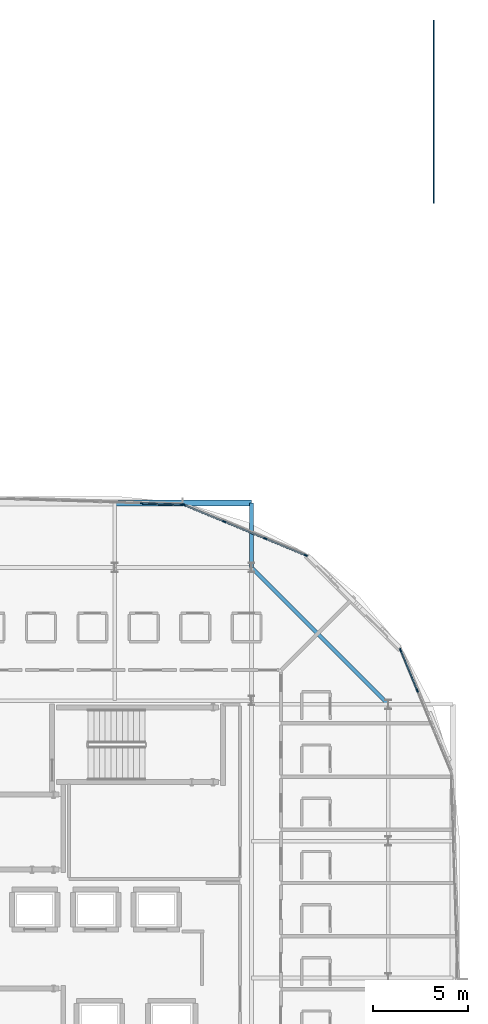
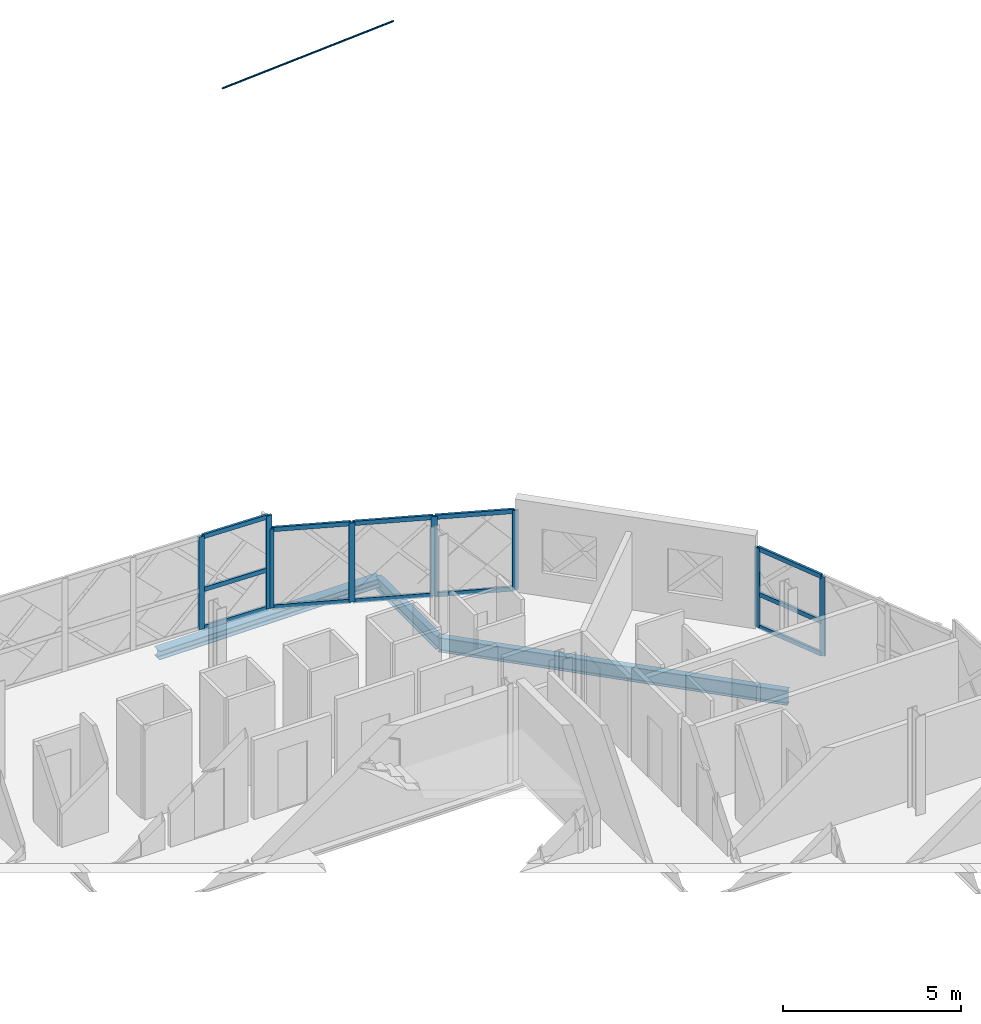
# One storey, part 13 of 26: 21 members, 3 beams, 3 elements without a shape of their own.
"""IFC4 building model written with IfcOpenShell, lengths in metres."""

import ifcopenshell
import ifcopenshell.guid

model = None  # the IFC model being written
_history = None  # IfcOwnerHistory: only IFC2X3 demands one
_inside = {}  # id of a spatial element -> (the spatial element, [elements in it])
_under = {}  # id of a project, library or spatial element -> (it, [spatial elements below it])
_declared = {}  # id of a project -> (the project, [libraries it declares])
_typed = {}  # id of a type object -> (the type object, [elements of that type])
_made_of = {}  # id of a material, layer set ... -> (it, [elements and type objects made of it])


def new_model(schema):
    """Start an empty IFC model of exactly this schema.

    Asked for "IFC4X3", IfcOpenShell would pick the latest addendum, in which some entities
    have other attributes; the version numbers below select the first issue.
    IFC2X3 requires an IfcOwnerHistory on every rooted entity: one is made here for all.
    """
    global model, _history
    if schema == "IFC4X3":
        model = ifcopenshell.file(schema_version=(4, 3, 0, 0))
    else:
        model = ifcopenshell.file(schema=schema)
    _inside.clear()
    _under.clear()
    _declared.clear()
    _typed.clear()
    _made_of.clear()
    _history = None
    if model.schema == "IFC2X3":
        org = make("IfcOrganization", Name="unknown")
        user = make(
            "IfcPersonAndOrganization",
            ThePerson=make("IfcPerson", FamilyName="unknown"),
            TheOrganization=org,
        )
        app = make(
            "IfcApplication",
            ApplicationDeveloper=org,
            Version="unknown",
            ApplicationFullName="unknown",
            ApplicationIdentifier="unknown",
        )
        _history = make(
            "IfcOwnerHistory",
            OwningUser=user,
            OwningApplication=app,
            ChangeAction="ADDED",
            CreationDate=0,
        )
    return model


def make(cls, **values):
    """One entity of the class cls with the attributes given. An attribute that is None is left unset."""
    return model.create_entity(
        cls, **{name: value for name, value in values.items() if value is not None}
    )


def rooted(cls, **values):
    """An entity with a GlobalId (a new one), such as an element, a storey or a relation."""
    return make(cls, GlobalId=ifcopenshell.guid.new(), OwnerHistory=_history, **values)


def si_unit(unit_type, name, prefix=None):
    """IfcSIUnit, for example si_unit("LENGTHUNIT", "METRE", prefix="MILLI")."""
    return make("IfcSIUnit", UnitType=unit_type, Prefix=prefix, Name=name)


def assignment(units):
    """IfcUnitAssignment: the units of a project."""
    return None if units is None else make("IfcUnitAssignment", Units=units)


def point(xyz):
    """IfcCartesianPoint."""
    return None if xyz is None else make("IfcCartesianPoint", Coordinates=xyz)


def direction(xyz):
    """IfcDirection."""
    return None if xyz is None else make("IfcDirection", DirectionRatios=xyz)


def frame(location, z_axis=None, x_axis=None):
    """IfcAxis2Placement3D, a coordinate frame: its origin and axes. An axis left out is left unset."""
    return make(
        "IfcAxis2Placement3D",
        Location=point(location),
        Axis=direction(z_axis),
        RefDirection=direction(x_axis),
    )


def frame_2d(location, x_axis=None):
    """IfcAxis2Placement2D, a coordinate frame in the plane: its origin and x axis."""
    return make(
        "IfcAxis2Placement2D", Location=point(location), RefDirection=direction(x_axis)
    )


def origin():
    """The frame at (0, 0, 0) with its axes left unset."""
    return frame((0.0, 0.0, 0.0))


def origin_2d():
    """The frame at (0, 0) in the plane with its x axis left unset."""
    return frame_2d((0.0, 0.0))


def place(relative_to, where):
    """IfcLocalPlacement: puts the frame where relative to a parent placement (None: the world)."""
    return make(
        "IfcLocalPlacement", PlacementRelTo=relative_to, RelativePlacement=where
    )


def context(
    kind, dimensions, precision=None, world=None, true_north=None, identifier=None
):
    """IfcGeometricRepresentationContext, for example the 3D "Model" context."""
    return make(
        "IfcGeometricRepresentationContext",
        ContextIdentifier=identifier,
        ContextType=kind,
        CoordinateSpaceDimension=dimensions,
        Precision=precision,
        WorldCoordinateSystem=world,
        TrueNorth=true_north,
    )


def subcontext(parent, identifier, kind, view, scale=None):
    """IfcGeometricRepresentationSubContext, for example "Body" below "Model"."""
    return make(
        "IfcGeometricRepresentationSubContext",
        ContextIdentifier=identifier,
        ContextType=kind,
        ParentContext=parent,
        TargetScale=scale,
        TargetView=view,
    )


def project(units=None, contexts=None):
    """IfcProject with its units and contexts."""
    return rooted(
        "IfcProject",
        Name="project",
        RepresentationContexts=contexts,
        UnitsInContext=assignment(units),
    )


def spatial(cls, under=None, at=None, **own):
    """A site, building, storey or space (cls), placed at a placement, below another one or the project."""
    s = rooted(cls, ObjectPlacement=at, **own)
    if under is not None:
        _under.setdefault(under.id(), (under, []))[1].append(s)
    return s


def profile(cls, at=None, kind="AREA", **sizes):
    """A parametric profile (cls). Its sizes go by their IFC names, for example OverallWidth=200.0."""
    return make(cls, ProfileType=kind, Position=at, **sizes)


def rectangle(**sizes):
    """IfcRectangleProfileDef."""
    return profile("IfcRectangleProfileDef", **sizes)


def circle(**sizes):
    """IfcCircleProfileDef."""
    return profile("IfcCircleProfileDef", **sizes)


def i_section(**sizes):
    """IfcIShapeProfileDef."""
    return profile("IfcIShapeProfileDef", **sizes)


def extrude(swept, where, along, depth):
    """IfcExtrudedAreaSolid: the profile swept, set in the frame where, extruded along a direction by depth."""
    return make(
        "IfcExtrudedAreaSolid",
        SweptArea=swept,
        Position=where,
        ExtrudedDirection=direction(along),
        Depth=depth,
    )


def shape(context_of_items, identifier, shape_type, items):
    """IfcShapeRepresentation: the items that make up one representation, for example the "Body"."""
    return make(
        "IfcShapeRepresentation",
        ContextOfItems=context_of_items,
        RepresentationIdentifier=identifier,
        RepresentationType=shape_type,
        Items=items,
    )


def material(Name=None, Category=None):
    """IfcMaterial."""
    return make("IfcMaterial", Name=Name, Category=Category)


def layer(
    of_material, thickness, ventilated=None, Name=None, Category=None, Priority=None
):
    """IfcMaterialLayer: one layer of a wall or slab, of a material (None: an air gap)."""
    return make(
        "IfcMaterialLayer",
        Material=of_material,
        LayerThickness=thickness,
        IsVentilated=ventilated,
        Name=Name,
        Category=Category,
        Priority=Priority,
    )


def layer_set(layers, Name=None):
    """IfcMaterialLayerSet."""
    return make("IfcMaterialLayerSet", MaterialLayers=layers, LayerSetName=Name)


def material_profile(
    of_material, cross_section, Name=None, Category=None, Priority=None
):
    """IfcMaterialProfile: a cross section and its material."""
    return make(
        "IfcMaterialProfile",
        Name=Name,
        Material=of_material,
        Profile=cross_section,
        Priority=Priority,
        Category=Category,
    )


def profile_set(profiles, Name=None, composite=None):
    """IfcMaterialProfileSet."""
    return make(
        "IfcMaterialProfileSet",
        Name=Name,
        MaterialProfiles=profiles,
        CompositeProfile=composite,
    )


def made_of(thing, what):
    """Note that an element or type object is made of a material, layer set ...; save() writes the relation."""
    if what is not None:
        _made_of.setdefault(what.id(), (what, []))[1].append(thing)
    return thing


def type_object(cls, material=None, **own):
    """A type object (cls), such as IfcWallType, which elements share."""
    return made_of(rooted(cls, **own), material)


def element(
    cls,
    number,
    at=None,
    inside=None,
    cuts=None,
    type_object=None,
    material=None,
    context=None,
    identifier="Body",
    shape_type=None,
    held_by="IfcProductDefinitionShape",
    body=None,
    shapes=None,
    **own,
):
    """One element of the class cls, such as IfcWall. Its Tag is "e" and its number.

    at: its placement. inside: the storey or other place that contains it. cuts: it is an
    opening in that element (IfcRelVoidsElement). A single representation is given by context,
    identifier, shape_type and body (its items); several are given by shapes. held_by: the class
    of the entity that holds the representations. save() writes the other relations.
    """
    e = rooted(cls, Tag="e%d" % number, ObjectPlacement=at, **own)
    if body is not None:
        shapes = [shape(context, identifier, shape_type, body)]
    if shapes is not None:
        e.Representation = make(held_by, Representations=shapes)
    if inside is not None:
        _inside.setdefault(inside.id(), (inside, []))[1].append(e)
    if cuts is not None:
        rooted(
            "IfcRelVoidsElement", RelatingBuildingElement=cuts, RelatedOpeningElement=e
        )
    if type_object is not None:
        _typed.setdefault(type_object.id(), (type_object, []))[1].append(e)
    return made_of(e, material)


def aggregate(whole, parts):
    """IfcRelAggregates: a whole, such as a stair, and the parts it consists of."""
    return rooted("IfcRelAggregates", RelatingObject=whole, RelatedObjects=parts)


def save(model, path):
    """Write the relations noted so far, then the file.

    IfcRelAggregates (storeys below a building ...), IfcRelContainedInSpatialStructure (elements
    in a storey), IfcRelDefinesByType, IfcRelAssociatesMaterial and IfcRelDeclares: one each for
    every whole, place, type object, material and project.
    """
    for whole, parts in _under.values():
        aggregate(whole, parts)
    for where, things in _inside.values():
        rooted(
            "IfcRelContainedInSpatialStructure",
            RelatedElements=things,
            RelatingStructure=where,
        )
    for kind, things in _typed.values():
        rooted("IfcRelDefinesByType", RelatedObjects=things, RelatingType=kind)
    for what, things in _made_of.values():
        rooted("IfcRelAssociatesMaterial", RelatedObjects=things, RelatingMaterial=what)
    for by, libraries in _declared.values():
        rooted("IfcRelDeclares", RelatingContext=by, RelatedDefinitions=libraries)
    model.write(path)


model = new_model("IFC4")

# Units and contexts
model_context = context("Model", 3, precision=1e-05, world=origin(), true_north=direction((0.0, 1.0)))
body_context = subcontext(model_context, "Body", "Model", "MODEL_VIEW")
ifc_project = project(units=[si_unit("LENGTHUNIT", "METRE"), si_unit("AREAUNIT", "SQUARE_METRE"), si_unit("VOLUMEUNIT", "CUBIC_METRE"), si_unit("PLANEANGLEUNIT", "RADIAN"), si_unit("MASSUNIT", "GRAM", prefix="KILO")], contexts=[model_context])

# Site, building, storey
site_placement = place(None, origin())
site = spatial("IfcSite", under=ifc_project, at=site_placement, CompositionType="ELEMENT")
building_placement = place(site_placement, origin())
building = spatial("IfcBuilding", under=site, at=building_placement, Name="Zevrakil Square Congress Hotel", CompositionType="ELEMENT")
storey_placement = place(building_placement, frame((0.0, 0.0, 24.89990234375)))
storey = spatial("IfcBuildingStorey", under=building, at=storey_placement, Name="L07", CompositionType="ELEMENT", Elevation=24.89990234375)

# Beams
ifc_material_1 = material(Name="Steel S355", Category="steel")
ifc_material_profile_1 = material_profile(ifc_material_1, i_section(OverallWidth=0.18994140625, OverallDepth=0.449951171875, WebThickness=0.009521484375, FlangeThickness=0.0146484375, FilletRadius=0.02099609375, at=origin_2d()), Name="IPE 450")
ifc_profile_set_1 = profile_set([ifc_material_profile_1], Name="Steel S355")
beam_type_1 = type_object("IfcBeamType", Name="BM-IPE450", PredefinedType="BEAM", material=ifc_profile_set_1)
beam_1_placement = place(storey_placement, frame((156.0, 45.60009765625, -0.429931640625), z_axis=(0.0, 1.0, 0.0), x_axis=(-1.0, 0.0, 0.0)))
element("IfcBeam", 1, at=beam_1_placement, inside=storey, type_object=beam_type_1, Name="L07 drum radial edge cantilever beam DRO-09", PredefinedType="BEAM", context=body_context, shape_type="SweptSolid", body=[
    extrude(i_section(OverallWidth=0.18994140625, OverallDepth=0.449951171875, WebThickness=0.009521484375, FlangeThickness=0.0146484375, FilletRadius=0.02099609375, at=origin_2d()), origin(), (0.0, 0.0, 1.0), 3.39990234375),
])
ifc_material_2 = material(Name="Steel S355", Category="steel")
ifc_material_profile_2 = material_profile(ifc_material_2, i_section(OverallWidth=0.199951171875, OverallDepth=0.5, WebThickness=0.01025390625, FlangeThickness=0.01611328125, FilletRadius=0.02099609375, at=origin_2d()), Name="IPE 500")
ifc_profile_set_2 = profile_set([ifc_material_profile_2], Name="Steel S355")
beam_type_2 = type_object("IfcBeamType", Name="BM-IPE500", PredefinedType="BEAM", material=ifc_profile_set_2)
beam_2_placement = place(storey_placement, frame((163.199951171875, 38.39990234375, -0.454833984375), z_axis=(-0.70709479277, 0.7071187694, 0.0), x_axis=(-0.7071187694, -0.70709479277, 0.0)))
element("IfcBeam", 2, at=beam_2_placement, inside=storey, type_object=beam_type_2, Name="L07 drum ring girder DRB-08", PredefinedType="BEAM", context=body_context, shape_type="SweptSolid", body=[
    extrude(i_section(OverallWidth=0.199951171875, OverallDepth=0.5, WebThickness=0.01025390625, FlangeThickness=0.01611328125, FilletRadius=0.02099609375, at=origin_2d()), origin(), (0.0, 0.0, 1.0), 10.182373046875),
])

# Curtain wall, members
ifc_material_3 = material(Name="Aluminium Anodised Bronze", Category="aluminium")
ifc_layer_1 = layer(ifc_material_3, 0.179931640625)
ifc_layer_set_1 = layer_set([ifc_layer_1], Name="Aluminium Anodised Bronze")
curtain_wall_type_1 = type_object("IfcCurtainWallType", Name="CW-L07-720", PredefinedType="USERDEFINED", material=ifc_layer_set_1)
curtain_wall_1_placement = place(storey_placement, origin())
curtain_wall_1 = element("IfcCurtainWall", 3, at=curtain_wall_1_placement, inside=storey, type_object=curtain_wall_type_1, Name="L07 diamond curtain wall CW-L07-0224", ObjectType="GLAZED CURTAIN WALL", PredefinedType="USERDEFINED")
ifc_material_4 = material(Name="Aluminium Anodised Bronze", Category="aluminium")
ifc_material_profile_3 = material_profile(ifc_material_4, rectangle(XDim=0.074951171875, YDim=0.14990234375, at=origin_2d()), Name="ALU 75x150")
ifc_profile_set_3 = profile_set([ifc_material_profile_3], Name="Aluminium Anodised Bronze")
member_type_1 = type_object("IfcMemberType", Name="CWM-ALU75x150", PredefinedType="USERDEFINED", material=ifc_profile_set_3)
member_1_placement = place(storey_placement, frame((164.716064453125, 39.150634765625, 0.030029296875), z_axis=(-0.382668727465, 0.923885623343, 0.0), x_axis=(-0.923885623343, -0.382668727465, 0.0)))
member_1 = element("IfcMember", 4, at=member_1_placement, type_object=member_type_1, Name="CW-82 transom 3.1", ObjectType="TRANSOM", PredefinedType="USERDEFINED", context=body_context, shape_type="SweptSolid", body=[
    extrude(rectangle(XDim=0.074951171875, YDim=0.14990234375, at=origin_2d()), origin(), (0.0, 0.0, 1.0), 2.2451171875),
])
member_2_placement = place(storey_placement, frame((164.716064453125, 39.150634765625, 1.14453125), z_axis=(-0.382668727465, 0.923885623343, 0.0), x_axis=(-0.923885623343, -0.382668727465, 0.0)))
member_2 = element("IfcMember", 5, at=member_2_placement, type_object=member_type_1, Name="CW-82 transom 3.2", ObjectType="TRANSOM", PredefinedType="USERDEFINED", context=body_context, shape_type="SweptSolid", body=[
    extrude(rectangle(XDim=0.074951171875, YDim=0.14990234375, at=origin_2d()), origin(), (0.0, 0.0, 1.0), 2.2451171875),
])
member_3_placement = place(storey_placement, frame((164.716064453125, 39.150634765625, 2.695068359375), z_axis=(-0.382668727465, 0.923885623343, 0.0), x_axis=(-0.923885623343, -0.382668727465, 0.0)))
member_3 = element("IfcMember", 6, at=member_3_placement, type_object=member_type_1, Name="CW-82 transom 3.3", ObjectType="TRANSOM", PredefinedType="USERDEFINED", context=body_context, shape_type="SweptSolid", body=[
    extrude(rectangle(XDim=0.074951171875, YDim=0.14990234375, at=origin_2d()), origin(), (0.0, 0.0, 1.0), 2.2451171875),
])

curtain_wall_2_placement = place(storey_placement, origin())
curtain_wall_2 = element("IfcCurtainWall", 7, at=curtain_wall_2_placement, inside=storey, type_object=curtain_wall_type_1, Name="L07 diamond curtain wall CW-L07-0225", ObjectType="GLAZED CURTAIN WALL", PredefinedType="USERDEFINED")
member_4_placement = place(storey_placement, frame((158.824951171875, 46.257080078125, 0.030029296875), z_axis=(-0.923901544851, 0.382630285552, 0.0), x_axis=(-0.382630285552, -0.923901544851, 0.0)))
member_4 = element("IfcMember", 8, at=member_4_placement, type_object=member_type_1, Name="CW-82 transom 1.1", ObjectType="TRANSOM", PredefinedType="USERDEFINED", context=body_context, shape_type="SweptSolid", body=[
    extrude(rectangle(XDim=0.074951171875, YDim=0.14990234375, at=origin_2d()), origin(), (0.0, 0.0, 1.0), 2.245361328125),
])
member_5_placement = place(storey_placement, frame((158.824951171875, 46.257080078125, 2.695068359375), z_axis=(-0.923901544851, 0.382630285552, 0.0), x_axis=(-0.382630285552, -0.923901544851, 0.0)))
member_5 = element("IfcMember", 9, at=member_5_placement, type_object=member_type_1, Name="CW-82 transom 1.2", ObjectType="TRANSOM", PredefinedType="USERDEFINED", context=body_context, shape_type="SweptSolid", body=[
    extrude(rectangle(XDim=0.074951171875, YDim=0.14990234375, at=origin_2d()), origin(), (0.0, 0.0, 1.0), 2.245361328125),
])
member_6_placement = place(storey_placement, frame((156.695068359375, 47.13916015625, 0.030029296875), z_axis=(-0.923893901698, 0.382648740238, 0.0), x_axis=(-0.382648740238, -0.923893901698, 0.0)))
member_6 = element("IfcMember", 10, at=member_6_placement, type_object=member_type_1, Name="CW-82 transom 2.1", ObjectType="TRANSOM", PredefinedType="USERDEFINED", context=body_context, shape_type="SweptSolid", body=[
    extrude(rectangle(XDim=0.074951171875, YDim=0.14990234375, at=origin_2d()), origin(), (0.0, 0.0, 1.0), 2.275146484375),
])
member_7_placement = place(storey_placement, frame((156.695068359375, 47.13916015625, 2.695068359375), z_axis=(-0.923893901698, 0.382648740238, 0.0), x_axis=(-0.382648740238, -0.923893901698, 0.0)))
member_7 = element("IfcMember", 11, at=member_7_placement, type_object=member_type_1, Name="CW-82 transom 2.2", ObjectType="TRANSOM", PredefinedType="USERDEFINED", context=body_context, shape_type="SweptSolid", body=[
    extrude(rectangle(XDim=0.074951171875, YDim=0.14990234375, at=origin_2d()), origin(), (0.0, 0.0, 1.0), 2.275146484375),
])
member_8_placement = place(storey_placement, frame((154.53759765625, 48.03271484375, 0.030029296875), z_axis=(-0.923863103406, 0.382723093326, 0.0), x_axis=(-0.382723093326, -0.923863103406, 0.0)))
member_8 = element("IfcMember", 12, at=member_8_placement, type_object=member_type_1, Name="CW-82 transom 3.1", ObjectType="TRANSOM", PredefinedType="USERDEFINED", context=body_context, shape_type="SweptSolid", body=[
    extrude(rectangle(XDim=0.074951171875, YDim=0.14990234375, at=origin_2d()), origin(), (0.0, 0.0, 1.0), 2.245361328125),
])
member_9_placement = place(storey_placement, frame((154.53759765625, 48.03271484375, 2.695068359375), z_axis=(-0.923863103406, 0.382723093326, 0.0), x_axis=(-0.382723093326, -0.923863103406, 0.0)))
member_9 = element("IfcMember", 13, at=member_9_placement, type_object=member_type_1, Name="CW-82 transom 3.2", ObjectType="TRANSOM", PredefinedType="USERDEFINED", context=body_context, shape_type="SweptSolid", body=[
    extrude(rectangle(XDim=0.074951171875, YDim=0.14990234375, at=origin_2d()), origin(), (0.0, 0.0, 1.0), 2.245361328125),
])

ifc_material_5 = material(Name="Aluminium Anodised Bronze", Category="aluminium")
ifc_layer_2 = layer(ifc_material_5, 0.179931640625)
ifc_layer_set_2 = layer_set([ifc_layer_2], Name="Aluminium Anodised Bronze")
curtain_wall_type_2 = type_object("IfcCurtainWallType", Name="CW-L07-900", PredefinedType="USERDEFINED", material=ifc_layer_set_2)
curtain_wall_3_placement = place(storey_placement, origin())
curtain_wall_3 = element("IfcCurtainWall", 14, at=curtain_wall_3_placement, inside=storey, type_object=curtain_wall_type_2, Name="L07 diamond curtain wall CW-L07-0226", ObjectType="GLAZED CURTAIN WALL", PredefinedType="USERDEFINED")
member_10_placement = place(storey_placement, frame((152.347900390625, 48.9169921875, 0.030029296875), z_axis=(-0.999500634127, 0.031598771798, 0.0), x_axis=(-0.031598771798, -0.999500634127, 0.0)))
member_10 = element("IfcMember", 15, at=member_10_placement, type_object=member_type_1, Name="CW-84 transom 1.1", ObjectType="TRANSOM", PredefinedType="USERDEFINED", context=body_context, shape_type="SweptSolid", body=[
    extrude(rectangle(XDim=0.074951171875, YDim=0.14990234375, at=origin_2d()), origin(), (0.0, 0.0, 1.0), 2.09375),
])
member_11_placement = place(storey_placement, frame((152.347900390625, 48.9169921875, 1.33984375), z_axis=(-0.999500634127, 0.031598771798, 0.0), x_axis=(-0.031598771798, -0.999500634127, 0.0)))
member_11 = element("IfcMember", 16, at=member_11_placement, type_object=member_type_1, Name="CW-84 transom 1.2", ObjectType="TRANSOM", PredefinedType="USERDEFINED", context=body_context, shape_type="SweptSolid", body=[
    extrude(rectangle(XDim=0.074951171875, YDim=0.14990234375, at=origin_2d()), origin(), (0.0, 0.0, 1.0), 2.09375),
])
member_12_placement = place(storey_placement, frame((152.347900390625, 48.9169921875, 3.16015625), z_axis=(-0.999500634127, 0.031598771798, 0.0), x_axis=(-0.031598771798, -0.999500634127, 0.0)))
member_12 = element("IfcMember", 17, at=member_12_placement, type_object=member_type_1, Name="CW-84 transom 1.3", ObjectType="TRANSOM", PredefinedType="USERDEFINED", context=body_context, shape_type="SweptSolid", body=[
    extrude(rectangle(XDim=0.074951171875, YDim=0.14990234375, at=origin_2d()), origin(), (0.0, 0.0, 1.0), 2.09375),
])

# Member
ifc_material_6 = material(Name="Aluminium Anodised Bronze", Category="aluminium")
ifc_material_profile_4 = material_profile(ifc_material_6, rectangle(XDim=0.074951171875, YDim=0.179931640625, at=origin_2d()), Name="ALU 75x180")
ifc_profile_set_4 = profile_set([ifc_material_profile_4], Name="Aluminium Anodised Bronze")
member_type_2 = type_object("IfcMemberType", Name="CWM-ALU75x180", PredefinedType="MULLION", material=ifc_profile_set_4)
member_13_placement = place(storey_placement, frame((164.727783203125, 39.122802734375, 0.0), z_axis=(0.0, 0.0, 1.0), x_axis=(-0.92387939537, -0.382683763454, 0.0)))
member_13 = element("IfcMember", 18, at=member_13_placement, type_object=member_type_2, Name="CW-82 mullion 3", PredefinedType="MULLION", context=body_context, shape_type="SweptSolid", body=[
    extrude(rectangle(XDim=0.074951171875, YDim=0.179931640625, at=origin_2d()), origin(), (0.0, 0.0, 1.0), 2.72509765625),
])

member_14_placement = place(storey_placement, frame((163.845458984375, 41.252685546875, 0.0), z_axis=(0.0, 0.0, 1.0), x_axis=(-0.92387939537, -0.382683763454, 0.0)))
member_14 = element("IfcMember", 19, at=member_14_placement, type_object=member_type_2, Name="CW-82 mullion 4", PredefinedType="MULLION", context=body_context, shape_type="SweptSolid", body=[
    extrude(rectangle(XDim=0.074951171875, YDim=0.179931640625, at=origin_2d()), origin(), (0.0, 0.0, 1.0), 2.72509765625),
])

aggregate(curtain_wall_1, [member_13, member_14, member_1, member_2, member_3])

member_15_placement = place(storey_placement, frame((158.8525390625, 46.245361328125, 0.0), z_axis=(0.0, 0.0, 1.0), x_axis=(-0.382683763454, -0.92387939537, 0.0)))
member_15 = element("IfcMember", 20, at=member_15_placement, type_object=member_type_2, Name="CW-82 mullion 1", PredefinedType="MULLION", context=body_context, shape_type="SweptSolid", body=[
    extrude(rectangle(XDim=0.074951171875, YDim=0.179931640625, at=origin_2d()), origin(), (0.0, 0.0, 1.0), 2.72509765625),
])

member_16_placement = place(storey_placement, frame((156.722900390625, 47.127685546875, 0.0), z_axis=(0.0, 0.0, 1.0), x_axis=(-0.382683763454, -0.92387939537, 0.0)))
member_16 = element("IfcMember", 21, at=member_16_placement, type_object=member_type_2, Name="CW-82 mullion 2", PredefinedType="MULLION", context=body_context, shape_type="SweptSolid", body=[
    extrude(rectangle(XDim=0.074951171875, YDim=0.179931640625, at=origin_2d()), origin(), (0.0, 0.0, 1.0), 2.72509765625),
])

member_17_placement = place(storey_placement, frame((154.565185546875, 48.021240234375, 0.0), z_axis=(0.0, 0.0, 1.0), x_axis=(-0.382683763454, -0.92387939537, 0.0)))
member_17 = element("IfcMember", 22, at=member_17_placement, type_object=member_type_2, Name="CW-82 mullion 3", PredefinedType="MULLION", context=body_context, shape_type="SweptSolid", body=[
    extrude(rectangle(XDim=0.074951171875, YDim=0.179931640625, at=origin_2d()), origin(), (0.0, 0.0, 1.0), 2.72509765625),
])

member_18_placement = place(storey_placement, frame((152.435546875, 48.903564453125, 0.0), z_axis=(0.0, 0.0, 1.0), x_axis=(-0.382683763454, -0.92387939537, 0.0)))
member_18 = element("IfcMember", 23, at=member_18_placement, type_object=member_type_2, Name="CW-82 mullion 4", PredefinedType="MULLION", context=body_context, shape_type="SweptSolid", body=[
    extrude(rectangle(XDim=0.074951171875, YDim=0.179931640625, at=origin_2d()), origin(), (0.0, 0.0, 1.0), 2.72509765625),
])

aggregate(curtain_wall_2, [member_15, member_16, member_17, member_18, member_4, member_5, member_6, member_7, member_8, member_9])

member_19_placement = place(storey_placement, frame((152.3779296875, 48.916015625, 0.0), z_axis=(0.0, 0.0, 1.0), x_axis=(-0.031598464383, -0.999500643846, 0.0)))
member_19 = element("IfcMember", 24, at=member_19_placement, type_object=member_type_2, Name="CW-84 mullion 1", PredefinedType="MULLION", context=body_context, shape_type="SweptSolid", body=[
    extrude(rectangle(XDim=0.074951171875, YDim=0.179931640625, at=origin_2d()), origin(), (0.0, 0.0, 1.0), 3.190185546875),
])

member_20_placement = place(storey_placement, frame((150.225341796875, 48.98388671875, 0.0), z_axis=(0.0, 0.0, 1.0), x_axis=(-0.031598464383, -0.999500643846, 0.0)))
member_20 = element("IfcMember", 25, at=member_20_placement, type_object=member_type_2, Name="CW-84 mullion 2", PredefinedType="MULLION", context=body_context, shape_type="SweptSolid", body=[
    extrude(rectangle(XDim=0.074951171875, YDim=0.179931640625, at=origin_2d()), origin(), (0.0, 0.0, 1.0), 3.190185546875),
])

aggregate(curtain_wall_3, [member_19, member_20, member_10, member_11, member_12])

ifc_material_7 = material(Name="Steel S355", Category="steel")
ifc_material_profile_5 = material_profile(ifc_material_7, circle(Radius=0.030029296875, at=origin_2d()), Name="CABLE RD60")
ifc_profile_set_5 = profile_set([ifc_material_profile_5], Name="Steel S355")
member_type_3 = type_object("IfcMemberType", Name="MEM-CABLE-RD60", PredefinedType="USERDEFINED", material=ifc_profile_set_5)
member_21_placement = place(storey_placement, frame((165.60009765625, 64.800048828125, 5.900146484375), z_axis=(0.0, 0.763105011423, -0.646274509432), x_axis=(-1.0, 0.0, 0.0)))
element("IfcMember", 26, at=member_21_placement, inside=storey, type_object=member_type_3, Name="Mast MS-02 locked-coil stay cable CS-22", ObjectType="ROOF CABLE", PredefinedType="USERDEFINED", context=body_context, shape_type="SweptSolid", body=[
    extrude(circle(Radius=0.030029296875, at=origin_2d()), origin(), (0.0, 0.0, 1.0), 12.580078125),
])

# Beam
ifc_material_8 = material(Name="Steel S355", Category="steel")
ifc_material_profile_6 = material_profile(ifc_material_8, i_section(OverallWidth=0.300048828125, OverallDepth=0.300048828125, WebThickness=0.010986328125, FlangeThickness=0.01904296875, FilletRadius=0.027099609375, at=origin_2d()), Name="HEB 300")
ifc_profile_set_6 = profile_set([ifc_material_profile_6], Name="Steel S355")
beam_type_3 = type_object("IfcBeamType", Name="SPD-RHS250", PredefinedType="SPANDREL", material=ifc_profile_set_6)
beam_3_placement = place(storey_placement, frame((156.0, 49.0, -0.35498046875), z_axis=(-1.0, 0.0, 0.0), x_axis=(0.0, -1.0, 0.0)))
element("IfcBeam", 27, at=beam_3_placement, inside=storey, type_object=beam_type_3, Name="L07 drum edge spandrel beam DSP-08", PredefinedType="SPANDREL", context=body_context, shape_type="SweptSolid", body=[
    extrude(i_section(OverallWidth=0.300048828125, OverallDepth=0.300048828125, WebThickness=0.010986328125, FlangeThickness=0.01904296875, FilletRadius=0.027099609375, at=origin_2d()), origin(), (0.0, 0.0, 1.0), 7.199951171875),
])

save(model, "model.ifc")
